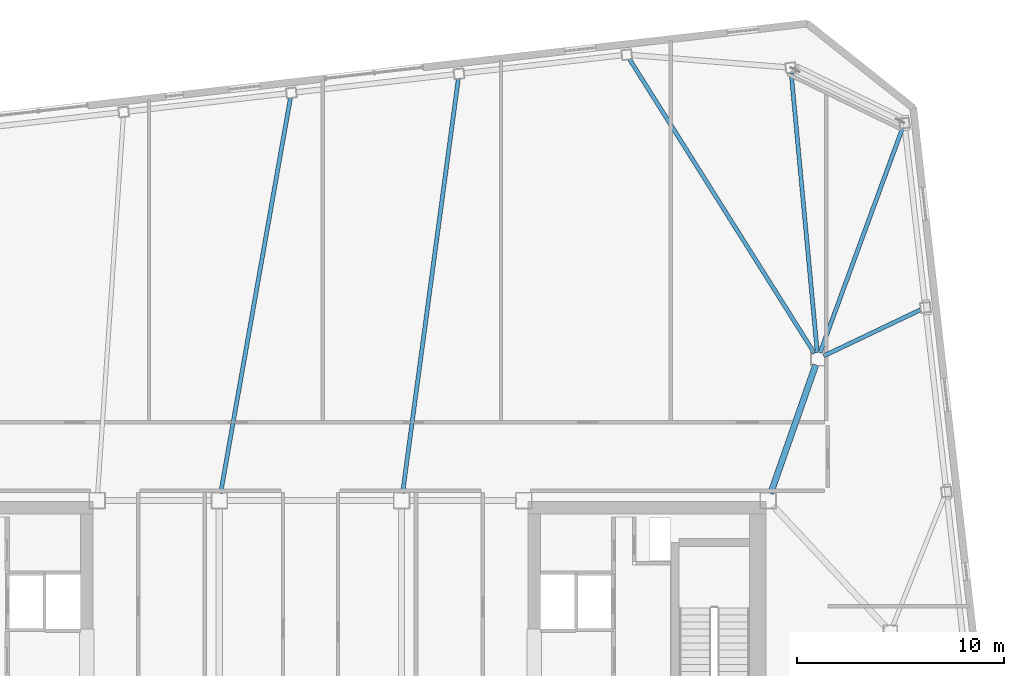
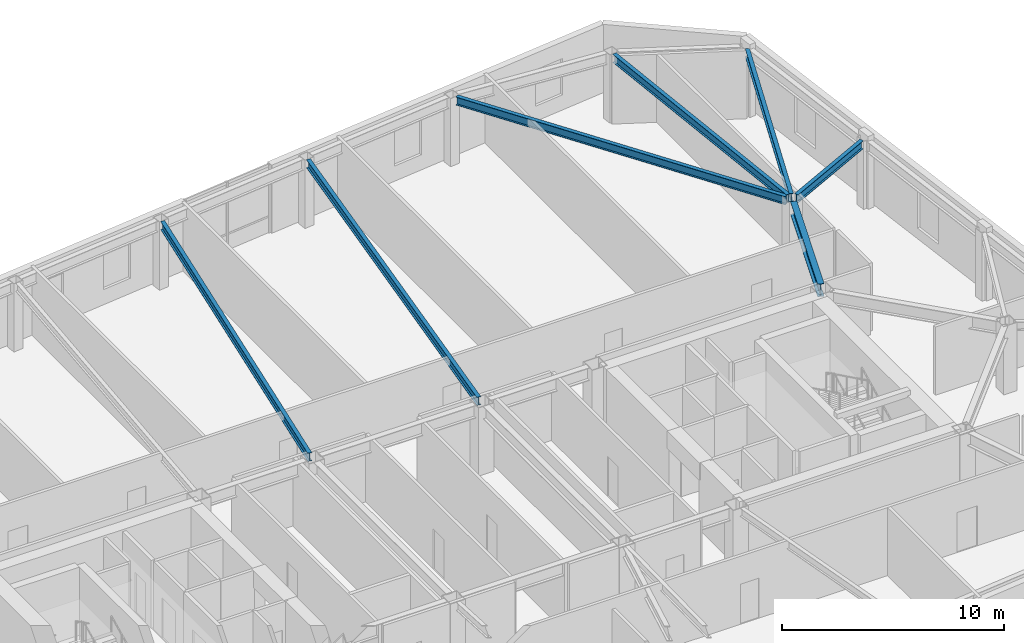
# One storey, part 9 of 18: 7 beams.
"""IFC4 building model written with IfcOpenShell, lengths in metres."""

import ifcopenshell
import ifcopenshell.guid

model = None  # the IFC model being written
_history = None  # IfcOwnerHistory: only IFC2X3 demands one
_inside = {}  # id of a spatial element -> (the spatial element, [elements in it])
_under = {}  # id of a project, library or spatial element -> (it, [spatial elements below it])
_declared = {}  # id of a project -> (the project, [libraries it declares])
_typed = {}  # id of a type object -> (the type object, [elements of that type])
_made_of = {}  # id of a material, layer set ... -> (it, [elements and type objects made of it])


def new_model(schema):
    """Start an empty IFC model of exactly this schema.

    Asked for "IFC4X3", IfcOpenShell would pick the latest addendum, in which some entities
    have other attributes; the version numbers below select the first issue.
    IFC2X3 requires an IfcOwnerHistory on every rooted entity: one is made here for all.
    """
    global model, _history
    if schema == "IFC4X3":
        model = ifcopenshell.file(schema_version=(4, 3, 0, 0))
    else:
        model = ifcopenshell.file(schema=schema)
    _inside.clear()
    _under.clear()
    _declared.clear()
    _typed.clear()
    _made_of.clear()
    _history = None
    if model.schema == "IFC2X3":
        org = make("IfcOrganization", Name="unknown")
        user = make(
            "IfcPersonAndOrganization",
            ThePerson=make("IfcPerson", FamilyName="unknown"),
            TheOrganization=org,
        )
        app = make(
            "IfcApplication",
            ApplicationDeveloper=org,
            Version="unknown",
            ApplicationFullName="unknown",
            ApplicationIdentifier="unknown",
        )
        _history = make(
            "IfcOwnerHistory",
            OwningUser=user,
            OwningApplication=app,
            ChangeAction="ADDED",
            CreationDate=0,
        )
    return model


def make(cls, **values):
    """One entity of the class cls with the attributes given. An attribute that is None is left unset."""
    return model.create_entity(
        cls, **{name: value for name, value in values.items() if value is not None}
    )


def rooted(cls, **values):
    """An entity with a GlobalId (a new one), such as an element, a storey or a relation."""
    return make(cls, GlobalId=ifcopenshell.guid.new(), OwnerHistory=_history, **values)


def si_unit(unit_type, name, prefix=None):
    """IfcSIUnit, for example si_unit("LENGTHUNIT", "METRE", prefix="MILLI")."""
    return make("IfcSIUnit", UnitType=unit_type, Prefix=prefix, Name=name)


def assignment(units):
    """IfcUnitAssignment: the units of a project."""
    return None if units is None else make("IfcUnitAssignment", Units=units)


def point(xyz):
    """IfcCartesianPoint."""
    return None if xyz is None else make("IfcCartesianPoint", Coordinates=xyz)


def direction(xyz):
    """IfcDirection."""
    return None if xyz is None else make("IfcDirection", DirectionRatios=xyz)


def frame(location, z_axis=None, x_axis=None):
    """IfcAxis2Placement3D, a coordinate frame: its origin and axes. An axis left out is left unset."""
    return make(
        "IfcAxis2Placement3D",
        Location=point(location),
        Axis=direction(z_axis),
        RefDirection=direction(x_axis),
    )


def frame_2d(location, x_axis=None):
    """IfcAxis2Placement2D, a coordinate frame in the plane: its origin and x axis."""
    return make(
        "IfcAxis2Placement2D", Location=point(location), RefDirection=direction(x_axis)
    )


def origin():
    """The frame at (0, 0, 0) with its axes left unset."""
    return frame((0.0, 0.0, 0.0))


def origin_2d():
    """The frame at (0, 0) in the plane with its x axis left unset."""
    return frame_2d((0.0, 0.0))


def place(relative_to, where):
    """IfcLocalPlacement: puts the frame where relative to a parent placement (None: the world)."""
    return make(
        "IfcLocalPlacement", PlacementRelTo=relative_to, RelativePlacement=where
    )


def context(
    kind, dimensions, precision=None, world=None, true_north=None, identifier=None
):
    """IfcGeometricRepresentationContext, for example the 3D "Model" context."""
    return make(
        "IfcGeometricRepresentationContext",
        ContextIdentifier=identifier,
        ContextType=kind,
        CoordinateSpaceDimension=dimensions,
        Precision=precision,
        WorldCoordinateSystem=world,
        TrueNorth=true_north,
    )


def subcontext(parent, identifier, kind, view, scale=None):
    """IfcGeometricRepresentationSubContext, for example "Body" below "Model"."""
    return make(
        "IfcGeometricRepresentationSubContext",
        ContextIdentifier=identifier,
        ContextType=kind,
        ParentContext=parent,
        TargetScale=scale,
        TargetView=view,
    )


def project(units=None, contexts=None):
    """IfcProject with its units and contexts."""
    return rooted(
        "IfcProject",
        Name="project",
        RepresentationContexts=contexts,
        UnitsInContext=assignment(units),
    )


def spatial(cls, under=None, at=None, **own):
    """A site, building, storey or space (cls), placed at a placement, below another one or the project."""
    s = rooted(cls, ObjectPlacement=at, **own)
    if under is not None:
        _under.setdefault(under.id(), (under, []))[1].append(s)
    return s


def profile(cls, at=None, kind="AREA", **sizes):
    """A parametric profile (cls). Its sizes go by their IFC names, for example OverallWidth=200.0."""
    return make(cls, ProfileType=kind, Position=at, **sizes)


def i_section(**sizes):
    """IfcIShapeProfileDef."""
    return profile("IfcIShapeProfileDef", **sizes)


def extrude(swept, where, along, depth):
    """IfcExtrudedAreaSolid: the profile swept, set in the frame where, extruded along a direction by depth."""
    return make(
        "IfcExtrudedAreaSolid",
        SweptArea=swept,
        Position=where,
        ExtrudedDirection=direction(along),
        Depth=depth,
    )


def shape(context_of_items, identifier, shape_type, items):
    """IfcShapeRepresentation: the items that make up one representation, for example the "Body"."""
    return make(
        "IfcShapeRepresentation",
        ContextOfItems=context_of_items,
        RepresentationIdentifier=identifier,
        RepresentationType=shape_type,
        Items=items,
    )


def material(Name=None, Category=None):
    """IfcMaterial."""
    return make("IfcMaterial", Name=Name, Category=Category)


def material_profile(
    of_material, cross_section, Name=None, Category=None, Priority=None
):
    """IfcMaterialProfile: a cross section and its material."""
    return make(
        "IfcMaterialProfile",
        Name=Name,
        Material=of_material,
        Profile=cross_section,
        Priority=Priority,
        Category=Category,
    )


def profile_set(profiles, Name=None, composite=None):
    """IfcMaterialProfileSet."""
    return make(
        "IfcMaterialProfileSet",
        Name=Name,
        MaterialProfiles=profiles,
        CompositeProfile=composite,
    )


def made_of(thing, what):
    """Note that an element or type object is made of a material, layer set ...; save() writes the relation."""
    if what is not None:
        _made_of.setdefault(what.id(), (what, []))[1].append(thing)
    return thing


def type_object(cls, material=None, **own):
    """A type object (cls), such as IfcWallType, which elements share."""
    return made_of(rooted(cls, **own), material)


def element(
    cls,
    number,
    at=None,
    inside=None,
    cuts=None,
    type_object=None,
    material=None,
    context=None,
    identifier="Body",
    shape_type=None,
    held_by="IfcProductDefinitionShape",
    body=None,
    shapes=None,
    **own,
):
    """One element of the class cls, such as IfcWall. Its Tag is "e" and its number.

    at: its placement. inside: the storey or other place that contains it. cuts: it is an
    opening in that element (IfcRelVoidsElement). A single representation is given by context,
    identifier, shape_type and body (its items); several are given by shapes. held_by: the class
    of the entity that holds the representations. save() writes the other relations.
    """
    e = rooted(cls, Tag="e%d" % number, ObjectPlacement=at, **own)
    if body is not None:
        shapes = [shape(context, identifier, shape_type, body)]
    if shapes is not None:
        e.Representation = make(held_by, Representations=shapes)
    if inside is not None:
        _inside.setdefault(inside.id(), (inside, []))[1].append(e)
    if cuts is not None:
        rooted(
            "IfcRelVoidsElement", RelatingBuildingElement=cuts, RelatedOpeningElement=e
        )
    if type_object is not None:
        _typed.setdefault(type_object.id(), (type_object, []))[1].append(e)
    return made_of(e, material)


def aggregate(whole, parts):
    """IfcRelAggregates: a whole, such as a stair, and the parts it consists of."""
    return rooted("IfcRelAggregates", RelatingObject=whole, RelatedObjects=parts)


def save(model, path):
    """Write the relations noted so far, then the file.

    IfcRelAggregates (storeys below a building ...), IfcRelContainedInSpatialStructure (elements
    in a storey), IfcRelDefinesByType, IfcRelAssociatesMaterial and IfcRelDeclares: one each for
    every whole, place, type object, material and project.
    """
    for whole, parts in _under.values():
        aggregate(whole, parts)
    for where, things in _inside.values():
        rooted(
            "IfcRelContainedInSpatialStructure",
            RelatedElements=things,
            RelatingStructure=where,
        )
    for kind, things in _typed.values():
        rooted("IfcRelDefinesByType", RelatedObjects=things, RelatingType=kind)
    for what, things in _made_of.values():
        rooted("IfcRelAssociatesMaterial", RelatedObjects=things, RelatingMaterial=what)
    for by, libraries in _declared.values():
        rooted("IfcRelDeclares", RelatingContext=by, RelatedDefinitions=libraries)
    model.write(path)


model = new_model("IFC4")

# Units and contexts
model_context = context("Model", 3, precision=1e-05, world=origin(), true_north=direction((0.0, 1.0)))
body_context = subcontext(model_context, "Body", "Model", "MODEL_VIEW")
ifc_project = project(units=[si_unit("LENGTHUNIT", "METRE"), si_unit("AREAUNIT", "SQUARE_METRE"), si_unit("VOLUMEUNIT", "CUBIC_METRE"), si_unit("PLANEANGLEUNIT", "RADIAN"), si_unit("MASSUNIT", "GRAM", prefix="KILO")], contexts=[model_context])

# Site, building, storey
site_placement = place(None, origin())
site = spatial("IfcSite", under=ifc_project, at=site_placement, CompositionType="ELEMENT")
building_placement = place(site_placement, origin())
building = spatial("IfcBuilding", under=site, at=building_placement, Name="Tavrogorsk Clinical Tower", CompositionType="ELEMENT")
storey_placement = place(building_placement, frame((0.0, 0.0, 230.199951171875)))
storey = spatial("IfcBuildingStorey", under=building, at=storey_placement, Name="L53", CompositionType="ELEMENT", Elevation=230.199951171875)

# Beams
ifc_material_1 = material(Name="Structural steel S355", Category="steel")
ifc_material_profile_1 = material_profile(ifc_material_1, i_section(OverallWidth=0.199951171875, OverallDepth=0.449951171875, WebThickness=0.011474609375, FlangeThickness=0.01806640625, at=origin_2d()), Name="B-450x200x11.5x18")
ifc_profile_set_1 = profile_set([ifc_material_profile_1], Name="Structural steel S355")
beam_type_1 = type_object("IfcBeamType", Name="FloorBeam_B450", PredefinedType="BEAM", material=ifc_profile_set_1)
beam_1_placement = place(storey_placement, frame((24.47119140625, 13.508544921875, 3.51513671875), z_axis=(-0.092940409745, 0.99567167291, 0.0), x_axis=(-0.99567167291, -0.092940409745, 0.0)))
element("IfcBeam", 1, at=beam_1_placement, inside=storey, type_object=beam_type_1, Name="L53 Radial Floor Beam N1", PredefinedType="BEAM", context=body_context, shape_type="SweptSolid", body=[
    extrude(i_section(OverallWidth=0.199951171875, OverallDepth=0.449951171875, WebThickness=0.011474609375, FlangeThickness=0.01806640625, at=origin_2d()), origin(), (0.0, 0.0, 1.0), 13.546630859375),
])
beam_2_placement = place(storey_placement, frame((24.3349609375, 13.46240234375, 3.51513671875), z_axis=(-0.53234144439, 0.84652973166, 0.0), x_axis=(-0.84652973166, -0.53234144439, 0.0)))
element("IfcBeam", 2, at=beam_2_placement, inside=storey, type_object=beam_type_1, Name="L53 Radial Floor Beam N2", PredefinedType="BEAM", context=body_context, shape_type="SweptSolid", body=[
    extrude(i_section(OverallWidth=0.199951171875, OverallDepth=0.449951171875, WebThickness=0.011474609375, FlangeThickness=0.01806640625, at=origin_2d()), origin(), (0.0, 0.0, 1.0), 16.7734375),
])
beam_3_placement = place(storey_placement, frame((4.447998046875, 6.706787109375, 3.51513671875), z_axis=(0.133328812355, 0.991071858039, 0.0), x_axis=(-0.991071858039, 0.133328812355, 0.0)))
element("IfcBeam", 3, at=beam_3_placement, inside=storey, type_object=beam_type_1, Name="L53 Radial Floor Beam N3", PredefinedType="BEAM", context=body_context, shape_type="SweptSolid", body=[
    extrude(i_section(OverallWidth=0.199951171875, OverallDepth=0.449951171875, WebThickness=0.011474609375, FlangeThickness=0.01806640625, at=origin_2d()), origin(), (0.0, 0.0, 1.0), 20.17529296875),
])
beam_4_placement = place(storey_placement, frame((-4.33740234375, 6.70458984375, 3.51513671875), z_axis=(0.173894614236, 0.984764267802, 0.0), x_axis=(-0.984764267802, 0.173894614236, 0.0)))
element("IfcBeam", 4, at=beam_4_placement, inside=storey, type_object=beam_type_1, Name="L53 Radial Floor Beam N4", PredefinedType="BEAM", context=body_context, shape_type="SweptSolid", body=[
    extrude(i_section(OverallWidth=0.199951171875, OverallDepth=0.449951171875, WebThickness=0.011474609375, FlangeThickness=0.01806640625, at=origin_2d()), origin(), (0.0, 0.0, 1.0), 19.371826171875),
])
beam_5_placement = place(storey_placement, frame((24.77978515625, 13.333251953125, 3.51513671875), z_axis=(0.90270896244, 0.43025170439, 0.0), x_axis=(-0.43025170439, 0.90270896244, 0.0)))
element("IfcBeam", 5, at=beam_5_placement, inside=storey, type_object=beam_type_1, Name="L53 Radial Floor Beam E4", PredefinedType="BEAM", context=body_context, shape_type="SweptSolid", body=[
    extrude(i_section(OverallWidth=0.199951171875, OverallDepth=0.449951171875, WebThickness=0.011474609375, FlangeThickness=0.01806640625, at=origin_2d()), origin(), (0.0, 0.0, 1.0), 5.182861328125),
])
beam_6_placement = place(storey_placement, frame((24.60693359375, 13.490966796875, 3.51513671875), z_axis=(0.34467380093, 0.938722520744, 0.0), x_axis=(-0.938722520744, 0.34467380093, 0.0)))
element("IfcBeam", 6, at=beam_6_placement, inside=storey, type_object=beam_type_1, Name="L53 Radial Floor Beam E5", PredefinedType="BEAM", context=body_context, shape_type="SweptSolid", body=[
    extrude(i_section(OverallWidth=0.199951171875, OverallDepth=0.449951171875, WebThickness=0.011474609375, FlangeThickness=0.01806640625, at=origin_2d()), origin(), (0.0, 0.0, 1.0), 11.55126953125),
])
ifc_material_2 = material(Name="Structural steel S390", Category="steel")
ifc_material_profile_2 = material_profile(ifc_material_2, i_section(OverallWidth=0.300048828125, OverallDepth=0.699951171875, WebThickness=0.01708984375, FlangeThickness=0.028076171875, at=origin_2d()), Name="B-700x300x17x28")
ifc_profile_set_2 = profile_set([ifc_material_profile_2], Name="Structural steel S390")
beam_type_2 = type_object("IfcBeamType", Name="PrimaryGirder_B700", PredefinedType="USERDEFINED", material=ifc_profile_set_2)
beam_7_placement = place(storey_placement, frame((24.3974609375, 12.907470703125, 3.39013671875), z_axis=(-0.330654121425, -0.943752007672, 0.0), x_axis=(0.943752007672, -0.330654121425, 0.0)))
element("IfcBeam", 7, at=beam_7_placement, inside=storey, type_object=beam_type_2, Name="L53 Spine Link Girder OPG-4", ObjectType="GIRDER", PredefinedType="USERDEFINED", context=body_context, shape_type="SweptSolid", body=[
    extrude(i_section(OverallWidth=0.300048828125, OverallDepth=0.699951171875, WebThickness=0.01708984375, FlangeThickness=0.028076171875, at=origin_2d()), origin(), (0.0, 0.0, 1.0), 6.58837890625),
])

save(model, "model.ifc")
